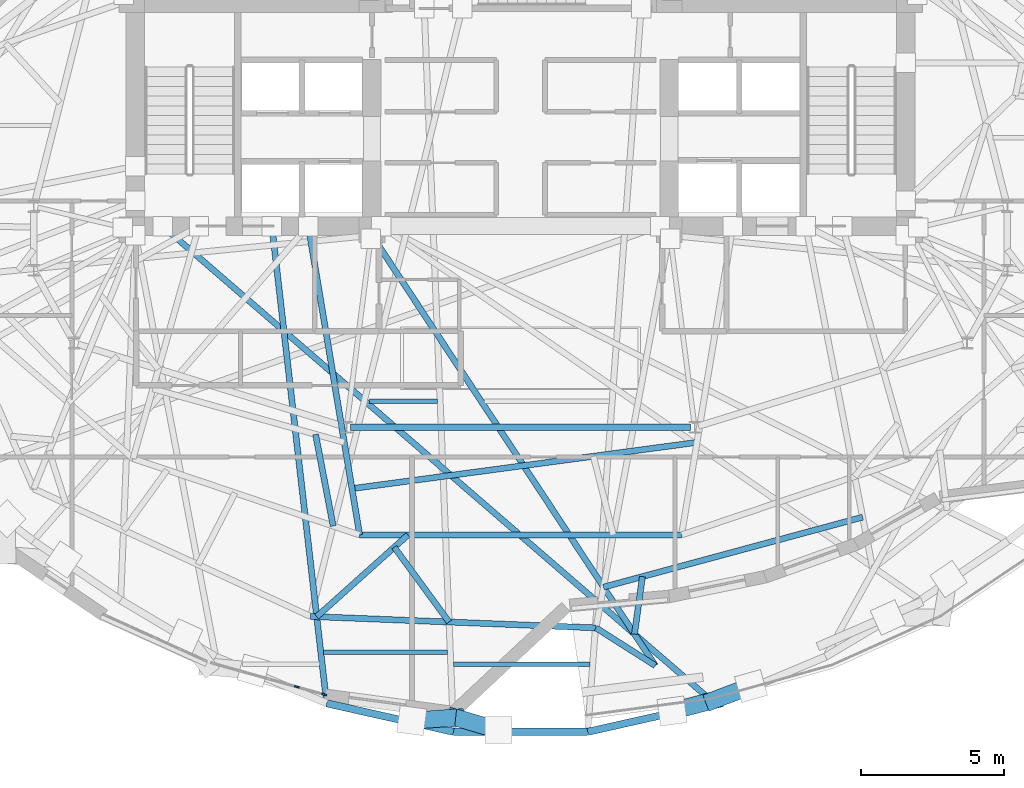
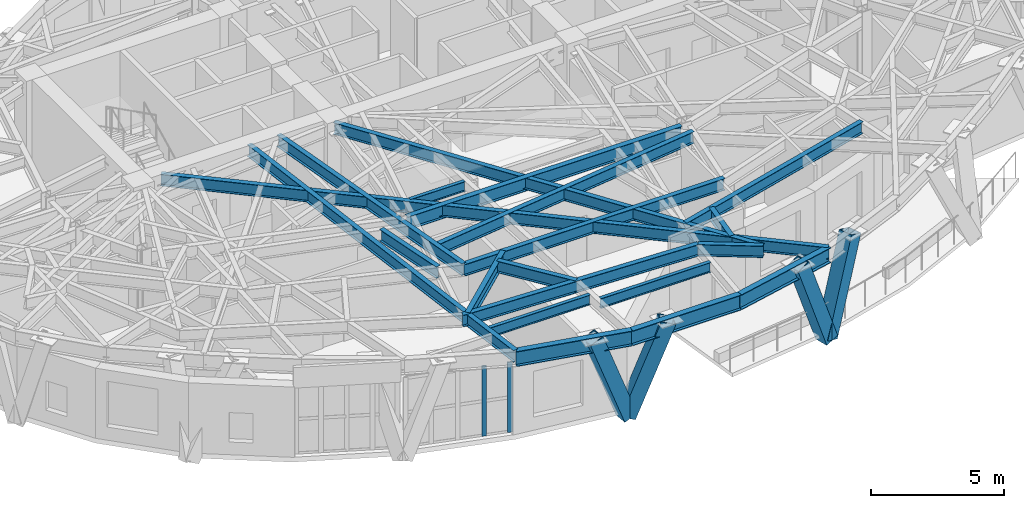
# One storey, part 3 of 15: 20 beams, 6 members, 1 element without a shape of its own.
"""IFC4 building model written with IfcOpenShell, lengths in metres."""

from ifc_helpers import new_model, si_unit, direction, frame, origin, origin_2d, place, context, subcontext, project, spatial, rectangle, hollow_rectangle, i_section, extrude, material, layer, layer_set, material_profile, profile_set, type_object, element, aggregate, save


model = new_model("IFC4")

# Units and contexts
model_context = context("Model", 3, precision=1e-05, world=origin(), true_north=direction((0.0, 1.0)))
body_context = subcontext(model_context, "Body", "Model", "MODEL_VIEW")
ifc_project = project(units=[si_unit("LENGTHUNIT", "METRE"), si_unit("AREAUNIT", "SQUARE_METRE"), si_unit("VOLUMEUNIT", "CUBIC_METRE"), si_unit("PLANEANGLEUNIT", "RADIAN"), si_unit("MASSUNIT", "GRAM", prefix="KILO")], contexts=[model_context])

# Site, building, storey
site_placement = place(None, origin())
site = spatial("IfcSite", under=ifc_project, at=site_placement, CompositionType="ELEMENT")
building_placement = place(site_placement, origin())
building = spatial("IfcBuilding", under=site, at=building_placement, Name="Keldmark Tower", CompositionType="ELEMENT")
storey_placement = place(building_placement, frame((0.0, 0.0, 205.89990234375)))
storey = spatial("IfcBuildingStorey", under=building, at=storey_placement, Name="L57", CompositionType="ELEMENT", Elevation=205.89990234375)

# Beams
ifc_material_1 = material(Name="Steel ASTM A992 Grade 50", Category="steel")
ifc_material_profile_1 = material_profile(ifc_material_1, i_section(OverallWidth=0.153076171875, OverallDepth=0.455078125, WebThickness=0.008056640625, FlangeThickness=0.01318359375, at=origin_2d()), Name="W18X40")
ifc_profile_set_1 = profile_set([ifc_material_profile_1], Name="Steel ASTM A992 Grade 50")
beam_type_1 = type_object("IfcBeamType", Name="Composite Floor Joist W18X40", PredefinedType="JOIST", material=ifc_profile_set_1)
beam_1_placement = place(storey_placement, frame((-6.892578125, -13.3798828125, 3.692626953125), z_axis=(1.0, 0.0, 0.0), x_axis=(0.0, 1.0, 0.0)))
element("IfcBeam", 1, at=beam_1_placement, inside=storey, type_object=beam_type_1, Name="L57 Composite Floor Joist J02", PredefinedType="JOIST", context=body_context, shape_type="SweptSolid", body=[
    extrude(i_section(OverallWidth=0.153076171875, OverallDepth=0.455078125, WebThickness=0.008056640625, FlangeThickness=0.01318359375, at=origin_2d()), origin(), (0.0, 0.0, 1.0), 4.33642578125),
])
beam_2_placement = place(storey_placement, frame((-2.346923828125, -13.800048828125, 3.692626953125), z_axis=(1.0, 0.0, 0.0), x_axis=(0.0, 1.0, 0.0)))
element("IfcBeam", 2, at=beam_2_placement, inside=storey, type_object=beam_type_1, Name="L57 Composite Floor Joist J03", PredefinedType="JOIST", context=body_context, shape_type="SweptSolid", body=[
    extrude(i_section(OverallWidth=0.153076171875, OverallDepth=0.455078125, WebThickness=0.008056640625, FlangeThickness=0.01318359375, at=origin_2d()), origin(), (0.0, 0.0, 1.0), 4.772705078125),
])
beam_3_placement = place(storey_placement, frame((-5.291015625, -4.60009765625, 3.692626953125), z_axis=(1.0, 0.0, 0.0), x_axis=(0.0, 1.0, 0.0)))
element("IfcBeam", 3, at=beam_3_placement, inside=storey, type_object=beam_type_1, Name="L57 Composite Floor Joist J04", PredefinedType="JOIST", context=body_context, shape_type="SweptSolid", body=[
    extrude(i_section(OverallWidth=0.153076171875, OverallDepth=0.455078125, WebThickness=0.008056640625, FlangeThickness=0.01318359375, at=origin_2d()), origin(), (0.0, 0.0, 1.0), 2.37939453125),
])

# Curtain wall, members
ifc_material_2 = material(Name="Unitized Thermally Broken Aluminum and Triple Low-E Glazing", Category="aluminium")
ifc_layer = layer(ifc_material_2, 0.219970703125)
ifc_layer_set = layer_set([ifc_layer], Name="Unitized Thermally Broken Aluminum and Triple Low-E Glazing")
curtain_wall_type = type_object("IfcCurtainWallType", Name="Sky Lobby Amenity Curtain Wall System", PredefinedType="NOTDEFINED", material=ifc_layer_set)
curtain_wall_placement = place(storey_placement, origin())
curtain_wall = element("IfcCurtainWall", 4, at=curtain_wall_placement, inside=storey, type_object=curtain_wall_type, Name="L57 Sky Lobby Amenity Curtain Wall System CW-L57-22", PredefinedType="NOTDEFINED")
ifc_material_3 = material(Name="Extruded Aluminum Alloy 6063-T6", Category="aluminium")
ifc_material_profile_2 = material_profile(ifc_material_3, rectangle(XDim=0.06005859375, YDim=0.179931640625, at=origin_2d()), Name="CWM60X180")
ifc_profile_set_2 = profile_set([ifc_material_profile_2], Name="Extruded Aluminum Alloy 6063-T6")
member_type_1 = type_object("IfcMemberType", Name="Curtain Wall Structural Mullion 60x180", PredefinedType="MULLION", material=ifc_profile_set_2)
member_1_placement = place(storey_placement, frame((-6.86767578125, -14.86181640625, 0.0), z_axis=(0.0, 0.0, 1.0), x_axis=(-0.270401844243, -0.962747548753, 0.0)))
member_1 = element("IfcMember", 5, at=member_1_placement, type_object=member_type_1, Name="CW mullion 1", PredefinedType="MULLION", context=body_context, shape_type="SweptSolid", body=[
    extrude(rectangle(XDim=0.06005859375, YDim=0.179931640625, at=origin_2d()), origin(), (0.0, 0.0, 1.0), 3.215087890625),
])
member_2_placement = place(storey_placement, frame((-7.826416015625, -14.592529296875, 0.0), z_axis=(0.0, 0.0, 1.0), x_axis=(-0.270401844243, -0.962747548753, 0.0)))
member_2 = element("IfcMember", 6, at=member_2_placement, type_object=member_type_1, Name="CW mullion 2", PredefinedType="MULLION", context=body_context, shape_type="SweptSolid", body=[
    extrude(rectangle(XDim=0.06005859375, YDim=0.179931640625, at=origin_2d()), origin(), (0.0, 0.0, 1.0), 3.215087890625),
])
aggregate(curtain_wall, [member_1, member_2])

# Members
ifc_material_4 = material(Name="Steel ASTM A572 Grade 50", Category="steel")
ifc_material_profile_3 = material_profile(ifc_material_4, hollow_rectangle(XDim=0.60009765625, YDim=0.60009765625, WallThickness=0.034912109375, at=origin_2d()), Name="BOX600X600X35")
ifc_profile_set_3 = profile_set([ifc_material_profile_3], Name="Steel ASTM A572 Grade 50")
member_type_2 = type_object("IfcMemberType", Name="Diagrid Zone 4 Brace BOX600X600X35", PredefinedType="BRACE", material=ifc_profile_set_3)
member_3_placement = place(storey_placement, frame((-2.266357421875, -15.66650390625, -0.2998046875), z_axis=(-0.352021323762, -0.024961309441, 0.93565908356), x_axis=(0.070730920157, -0.997495432037, 0.0)))
element("IfcMember", 7, at=member_3_placement, inside=storey, type_object=member_type_2, Name="L57 Perimeter Diagrid Brace 12A", PredefinedType="BRACE", context=body_context, shape_type="SweptSolid", body=[
    extrude(hollow_rectangle(XDim=0.60009765625, YDim=0.60009765625, WallThickness=0.034912109375, at=origin_2d()), origin(), (0.0, 0.0, 1.0), 4.3818359375),
])
member_4_placement = place(storey_placement, frame((-2.27783203125, -15.664306640625, -0.2998046875), z_axis=(0.342093162793, -0.100641816798, 0.934260933938), x_axis=(0.282233897329, 0.959345624475, 0.0)))
element("IfcMember", 8, at=member_4_placement, inside=storey, type_object=member_type_2, Name="L57 Perimeter Diagrid Brace 12B", PredefinedType="BRACE", context=body_context, shape_type="SweptSolid", body=[
    extrude(hollow_rectangle(XDim=0.60009765625, YDim=0.60009765625, WallThickness=0.034912109375, at=origin_2d()), origin(), (0.0, 0.0, 1.0), 4.388427734375),
])
member_5_placement = place(storey_placement, frame((6.7578125, -15.06005859375, -0.2998046875), z_axis=(-0.333888809849, -0.087244799494, 0.938566251055), x_axis=(0.252810854011, -0.967515721885, 0.0)))
element("IfcMember", 9, at=member_5_placement, inside=storey, type_object=member_type_2, Name="L57 Perimeter Diagrid Brace 13A", PredefinedType="BRACE", context=body_context, shape_type="SweptSolid", body=[
    extrude(hollow_rectangle(XDim=0.60009765625, YDim=0.60009765625, WallThickness=0.034912109375, at=origin_2d()), origin(), (0.0, 0.0, 1.0), 4.3681640625),
])
member_6_placement = place(storey_placement, frame((6.74609375, -15.062255859375, -0.2998046875), z_axis=(0.303403790087, 0.114297491661, 0.945982147591), x_axis=(-0.352532058378, 0.935799737025, 0.0)))
element("IfcMember", 10, at=member_6_placement, inside=storey, type_object=member_type_2, Name="L57 Perimeter Diagrid Brace 13B", PredefinedType="BRACE", context=body_context, shape_type="SweptSolid", body=[
    extrude(hollow_rectangle(XDim=0.60009765625, YDim=0.60009765625, WallThickness=0.034912109375, at=origin_2d()), origin(), (0.0, 0.0, 1.0), 4.333984375),
])

# Beams
ifc_material_5 = material(Name="Steel ASTM A992 Grade 50", Category="steel")
ifc_material_profile_4 = material_profile(ifc_material_5, i_section(OverallWidth=0.22802734375, OverallDepth=0.60302734375, WebThickness=0.010498046875, FlangeThickness=0.014892578125, at=origin_2d()), Name="W24X68")
ifc_profile_set_4 = profile_set([ifc_material_profile_4], Name="Steel ASTM A992 Grade 50")
beam_type_2 = type_object("IfcBeamType", Name="Primary Floor Girder W24X68", PredefinedType="BEAM", material=ifc_profile_set_4)
beam_4_placement = place(storey_placement, frame((-5.949462890625, -5.512939453125, 3.61865234375), z_axis=(1.0, 0.0, 0.0), x_axis=(0.0, 1.0, 0.0)))
element("IfcBeam", 11, at=beam_4_placement, inside=storey, type_object=beam_type_2, Name="L57 Floor Ring Girder FG-R09", PredefinedType="BEAM", context=body_context, shape_type="SweptSolid", body=[
    extrude(i_section(OverallWidth=0.22802734375, OverallDepth=0.60302734375, WebThickness=0.010498046875, FlangeThickness=0.014892578125, at=origin_2d()), origin(), (0.0, 0.0, 1.0), 11.89892578125),
])
ifc_material_6 = material(Name="Steel ASTM A992 Grade 50", Category="steel")
ifc_material_profile_5 = material_profile(ifc_material_6, i_section(OverallWidth=0.2099609375, OverallDepth=0.537109375, WebThickness=0.010986328125, FlangeThickness=0.017333984375, at=origin_2d()), Name="W21X68")
ifc_profile_set_5 = profile_set([ifc_material_profile_5], Name="Steel ASTM A992 Grade 50")
beam_type_3 = type_object("IfcBeamType", Name="Radial Tie Girder W21X68", PredefinedType="BEAM", material=ifc_profile_set_5)
beam_5_placement = place(storey_placement, frame((-7.425048828125, 1.52490234375, 3.651611328125), z_axis=(0.16391462963, -0.986474527899, 0.0), x_axis=(0.986474527899, 0.16391462963, 0.0)))
element("IfcBeam", 12, at=beam_5_placement, inside=storey, type_object=beam_type_3, Name="L57 Sub-Ring Step Girder STP1-M09", PredefinedType="BEAM", context=body_context, shape_type="SweptSolid", body=[
    extrude(i_section(OverallWidth=0.2099609375, OverallDepth=0.537109375, WebThickness=0.010986328125, FlangeThickness=0.017333984375, at=origin_2d()), origin(), (0.0, 0.0, 1.0), 10.953369140625),
])
beam_6_placement = place(storey_placement, frame((-5.89892578125, -7.659423828125, 3.651611328125), z_axis=(0.991135713228, 0.132853294894, 0.0), x_axis=(-0.132853294894, 0.991135713228, 0.0)))
element("IfcBeam", 13, at=beam_6_placement, inside=storey, type_object=beam_type_3, Name="L57 Framing Pin Header PH-004", PredefinedType="BEAM", context=body_context, shape_type="SweptSolid", body=[
    extrude(i_section(OverallWidth=0.2099609375, OverallDepth=0.537109375, WebThickness=0.010986328125, FlangeThickness=0.017333984375, at=origin_2d()), origin(), (0.0, 0.0, 1.0), 12.174560546875),
])
beam_7_placement = place(storey_placement, frame((-5.629638671875, -9.2802734375, 3.651611328125), z_axis=(1.0, 0.0, 0.0), x_axis=(0.0, 1.0, 0.0)))
element("IfcBeam", 14, at=beam_7_placement, inside=storey, type_object=beam_type_3, Name="L57 Perimeter Collector Ring Beam CRG1-M09", PredefinedType="BEAM", context=body_context, shape_type="SweptSolid", body=[
    extrude(i_section(OverallWidth=0.2099609375, OverallDepth=0.537109375, WebThickness=0.010986328125, FlangeThickness=0.017333984375, at=origin_2d()), origin(), (0.0, 0.0, 1.0), 11.25927734375),
])
beam_8_placement = place(storey_placement, frame((-7.172119140625, -5.7607421875, 3.651611328125), z_axis=(0.188692114066, -0.982036295709, 0.0), x_axis=(0.982036295709, 0.188692114066, 0.0)))
element("IfcBeam", 15, at=beam_8_placement, inside=storey, type_object=beam_type_3, Name="L57 Framing Pin Header PH-008", PredefinedType="BEAM", context=body_context, shape_type="SweptSolid", body=[
    extrude(i_section(OverallWidth=0.2099609375, OverallDepth=0.537109375, WebThickness=0.010986328125, FlangeThickness=0.017333984375, at=origin_2d()), origin(), (0.0, 0.0, 1.0), 3.265625),
])
beam_9_placement = place(storey_placement, frame((-7.344482421875, -12.131591796875, 3.651611328125), z_axis=(0.999202948985, -0.039918250702, 0.0), x_axis=(0.039918250702, 0.999202948985, 0.0)))
element("IfcBeam", 16, at=beam_9_placement, inside=storey, type_object=beam_type_3, Name="L57 Perimeter Collector Ring Beam CRG2-M09", PredefinedType="BEAM", context=body_context, shape_type="SweptSolid", body=[
    extrude(i_section(OverallWidth=0.2099609375, OverallDepth=0.537109375, WebThickness=0.010986328125, FlangeThickness=0.017333984375, at=origin_2d()), origin(), (0.0, 0.0, 1.0), 9.987548828125),
])
beam_10_placement = place(storey_placement, frame((-3.940673828125, -9.2802734375, 3.651611328125), z_axis=(-0.744680753872, -0.667420837862, 0.0), x_axis=(0.667420837862, -0.744680753872, 0.0)))
element("IfcBeam", 17, at=beam_10_placement, inside=storey, type_object=beam_type_3, Name="L57 Framing Pin Header PH-025", PredefinedType="BEAM", context=body_context, shape_type="SweptSolid", body=[
    extrude(i_section(OverallWidth=0.2099609375, OverallDepth=0.537109375, WebThickness=0.010986328125, FlangeThickness=0.017333984375, at=origin_2d()), origin(), (0.0, 0.0, 1.0), 4.284912109375),
])
beam_11_placement = place(storey_placement, frame((-8.699951171875, 1.52490234375, 3.651611328125), z_axis=(0.114030124916, -0.993477292449, 0.0), x_axis=(0.993477292449, 0.114030124916, 0.0)))
element("IfcBeam", 18, at=beam_11_placement, inside=storey, type_object=beam_type_3, Name="L57 Perimeter Radial Tie Girder RT-23", PredefinedType="BEAM", context=body_context, shape_type="SweptSolid", body=[
    extrude(i_section(OverallWidth=0.2099609375, OverallDepth=0.537109375, WebThickness=0.010986328125, FlangeThickness=0.017333984375, at=origin_2d()), origin(), (0.0, 0.0, 1.0), 16.802734375),
])
beam_12_placement = place(storey_placement, frame((-4.419189453125, -9.709228515625, 3.651611328125), z_axis=(0.591024154776, -0.806653859143, 0.0), x_axis=(0.806653859143, 0.591024154776, 0.0)))
element("IfcBeam", 19, at=beam_12_placement, inside=storey, type_object=beam_type_3, Name="L57 Framing Pin Header PH-026", PredefinedType="BEAM", context=body_context, shape_type="SweptSolid", body=[
    extrude(i_section(OverallWidth=0.2099609375, OverallDepth=0.537109375, WebThickness=0.010986328125, FlangeThickness=0.017333984375, at=origin_2d()), origin(), (0.0, 0.0, 1.0), 3.24267578125),
])
beam_13_placement = place(storey_placement, frame((11.963623046875, -8.657958984375, 3.651611328125), z_axis=(-0.965460887364, -0.260548028146, 0.0), x_axis=(0.260548028146, -0.965460887364, 0.0)))
element("IfcBeam", 20, at=beam_13_placement, inside=storey, type_object=beam_type_3, Name="L57 Framing Pin Header PH-027", PredefinedType="BEAM", context=body_context, shape_type="SweptSolid", body=[
    extrude(i_section(OverallWidth=0.2099609375, OverallDepth=0.537109375, WebThickness=0.010986328125, FlangeThickness=0.017333984375, at=origin_2d()), origin(), (0.0, 0.0, 1.0), 9.38623046875),
])
beam_14_placement = place(storey_placement, frame((-5.199951171875, 1.199951171875, 3.651611328125), z_axis=(0.549947925405, -0.835198945966, 0.0), x_axis=(0.835198945966, 0.549947925405, 0.0)))
element("IfcBeam", 21, at=beam_14_placement, inside=storey, type_object=beam_type_3, Name="L57 Intermediate Radial Step Girder RT-26M", PredefinedType="BEAM", context=body_context, shape_type="SweptSolid", body=[
    extrude(i_section(OverallWidth=0.2099609375, OverallDepth=0.537109375, WebThickness=0.010986328125, FlangeThickness=0.017333984375, at=origin_2d()), origin(), (0.0, 0.0, 1.0), 18.018798828125),
])
beam_15_placement = place(storey_placement, frame((2.635009765625, -12.5302734375, 3.651611328125), z_axis=(0.843849543551, -0.536579861576, 0.0), x_axis=(0.536579861576, 0.843849543551, 0.0)))
element("IfcBeam", 22, at=beam_15_placement, inside=storey, type_object=beam_type_3, Name="L57 Local Collector Chord RT-26C", PredefinedType="BEAM", context=body_context, shape_type="SweptSolid", body=[
    extrude(i_section(OverallWidth=0.2099609375, OverallDepth=0.537109375, WebThickness=0.010986328125, FlangeThickness=0.017333984375, at=origin_2d()), origin(), (0.0, 0.0, 1.0), 2.458251953125),
])
beam_16_placement = place(storey_placement, frame((4.2607421875, -10.73681640625, 3.651611328125), z_axis=(-0.136148990915, -0.990688372937, 0.0), x_axis=(0.990688372937, -0.136148990915, 0.0)))
element("IfcBeam", 23, at=beam_16_placement, inside=storey, type_object=beam_type_3, Name="L57 Framing Pin Header PH-028", PredefinedType="BEAM", context=body_context, shape_type="SweptSolid", body=[
    extrude(i_section(OverallWidth=0.2099609375, OverallDepth=0.537109375, WebThickness=0.010986328125, FlangeThickness=0.017333984375, at=origin_2d()), origin(), (0.0, 0.0, 1.0), 2.02978515625),
])
beam_17_placement = place(storey_placement, frame((-12.52490234375, 1.52490234375, 3.651611328125), z_axis=(0.756487611903, -0.654008022151, 0.0), x_axis=(0.654008022151, 0.756487611903, 0.0)))
element("IfcBeam", 24, at=beam_17_placement, inside=storey, type_object=beam_type_3, Name="L57 Perimeter Radial Tie Girder RT-26", PredefinedType="BEAM", context=body_context, shape_type="SweptSolid", body=[
    extrude(i_section(OverallWidth=0.2099609375, OverallDepth=0.537109375, WebThickness=0.010986328125, FlangeThickness=0.017333984375, at=origin_2d()), origin(), (0.0, 0.0, 1.0), 25.5244140625),
])
ifc_material_7 = material(Name="Steel ASTM A992 Grade 50", Category="steel")
ifc_material_profile_6 = material_profile(ifc_material_7, i_section(OverallWidth=0.256103515625, OverallDepth=0.693115234375, WebThickness=0.014404296875, FlangeThickness=0.023681640625, at=origin_2d()), Name="W27X114")
ifc_profile_set_6 = profile_set([ifc_material_profile_6], Name="Steel ASTM A992 Grade 50")
beam_type_4 = type_object("IfcBeamType", Name="Spandrel Ring Beam W27X114", PredefinedType="SPANDREL", material=ifc_profile_set_6)
beam_18_placement = place(storey_placement, frame((-6.783935546875, -15.168212890625, 3.573486328125), z_axis=(0.97564079092, -0.219374217021, 0.0), x_axis=(0.219374217021, 0.97564079092, 0.0)))
element("IfcBeam", 25, at=beam_18_placement, inside=storey, type_object=beam_type_4, Name="L57 Perimeter Spandrel Ring Beam SRB-23", PredefinedType="SPANDREL", context=body_context, shape_type="SweptSolid", body=[
    extrude(i_section(OverallWidth=0.256103515625, OverallDepth=0.693115234375, WebThickness=0.014404296875, FlangeThickness=0.023681640625, at=origin_2d()), origin(), (0.0, 0.0, 1.0), 4.54736328125),
])
beam_19_placement = place(storey_placement, frame((-2.347412109375, -16.165771484375, 3.573486328125), z_axis=(1.0, 0.0, 0.0), x_axis=(0.0, 1.0, 0.0)))
element("IfcBeam", 26, at=beam_19_placement, inside=storey, type_object=beam_type_4, Name="L57 Perimeter Spandrel Ring Beam SRB-24", PredefinedType="SPANDREL", context=body_context, shape_type="SweptSolid", body=[
    extrude(i_section(OverallWidth=0.256103515625, OverallDepth=0.693115234375, WebThickness=0.014404296875, FlangeThickness=0.023681640625, at=origin_2d()), origin(), (0.0, 0.0, 1.0), 4.69482421875),
])
beam_20_placement = place(storey_placement, frame((2.347412109375, -16.165771484375, 3.573486328125), z_axis=(0.97564079092, 0.219374217021, 0.0), x_axis=(-0.219374217021, 0.97564079092, 0.0)))
element("IfcBeam", 27, at=beam_20_placement, inside=storey, type_object=beam_type_4, Name="L57 Perimeter Spandrel Ring Beam SRB-25", PredefinedType="SPANDREL", context=body_context, shape_type="SweptSolid", body=[
    extrude(i_section(OverallWidth=0.256103515625, OverallDepth=0.693115234375, WebThickness=0.014404296875, FlangeThickness=0.023681640625, at=origin_2d()), origin(), (0.0, 0.0, 1.0), 4.54736328125),
])

save(model, "model.ifc")
